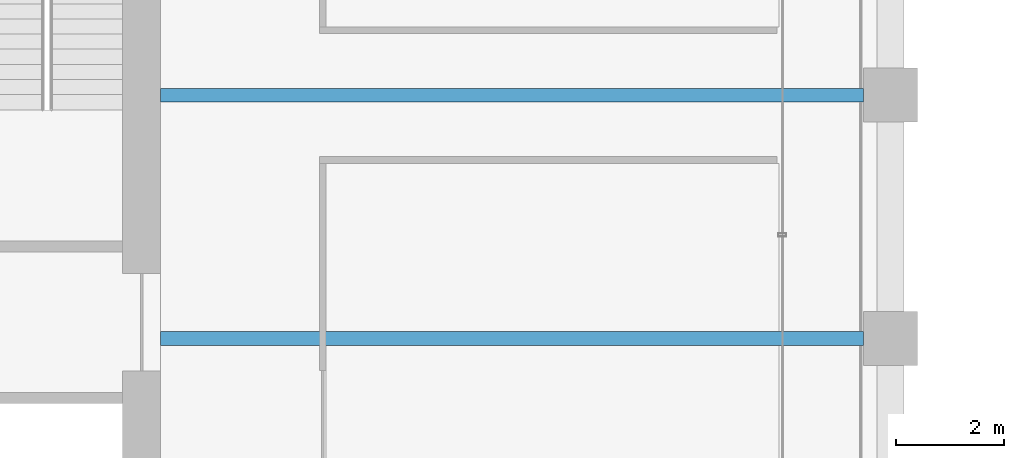
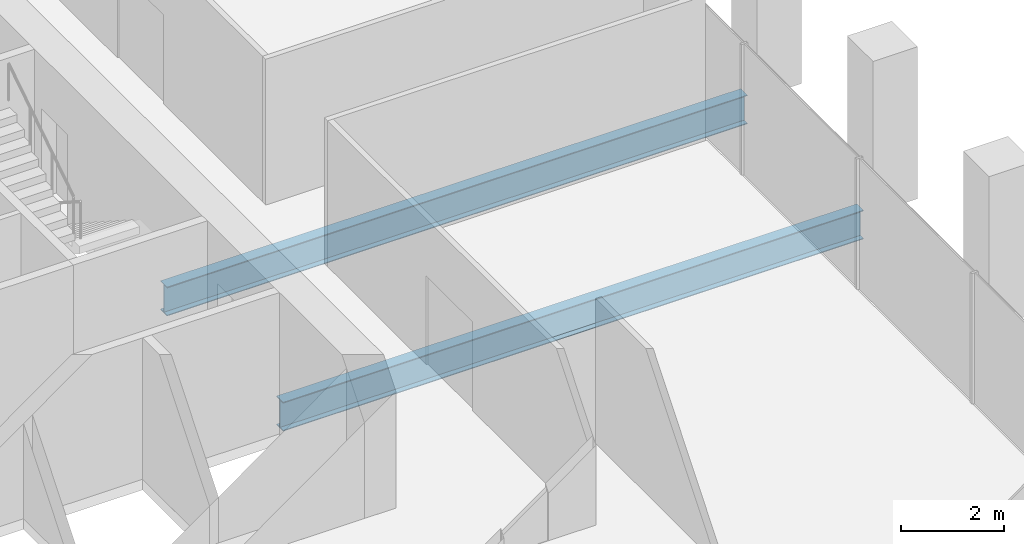
# One storey, part 16 of 46: 2 beams.
"""IFC4 building model written with IfcOpenShell, lengths in metres."""

from ifc_helpers import new_model, si_unit, direction, frame, origin, origin_2d, place, context, subcontext, project, spatial, i_section, extrude, material, material_profile, profile_set, type_object, element, save


model = new_model("IFC4")

# Units and contexts
model_context = context("Model", 3, precision=1e-05, world=origin(), true_north=direction((0.0, 1.0)))
body_context = subcontext(model_context, "Body", "Model", "MODEL_VIEW")
ifc_project = project(units=[si_unit("LENGTHUNIT", "METRE"), si_unit("AREAUNIT", "SQUARE_METRE"), si_unit("VOLUMEUNIT", "CUBIC_METRE"), si_unit("PLANEANGLEUNIT", "RADIAN"), si_unit("MASSUNIT", "GRAM", prefix="KILO")], contexts=[model_context])

# Site, building, storey
site_placement = place(None, origin())
site = spatial("IfcSite", under=ifc_project, at=site_placement, CompositionType="ELEMENT")
building_placement = place(site_placement, origin())
building = spatial("IfcBuilding", under=site, at=building_placement, Name="Altepetl Exchange Towers", CompositionType="ELEMENT")
storey_placement = place(building_placement, frame((0.0, 0.0, 120.800048828125)))
storey = spatial("IfcBuildingStorey", under=building, at=storey_placement, Name="L29", CompositionType="ELEMENT", Elevation=120.800048828125)

# Beams
ifc_material = material(Name="Steel S355", Category="steel")
ifc_material_profile = material_profile(ifc_material, i_section(OverallWidth=0.25390625, OverallDepth=0.68408203125, WebThickness=0.012451171875, FlangeThickness=0.018798828125, at=origin_2d()), Name="W27X94")
ifc_profile_set = profile_set([ifc_material_profile], Name="Steel S355")
beam_type = type_object("IfcBeamType", Name="Floor beam W27X94", PredefinedType="BEAM", material=ifc_profile_set)
for number, where, z_axis, x_axis, name in (
    (1, (58.5, 45.0, -0.491943359375), (1.0, 0.0, 0.0), (0.0, 1.0, 0.0), "bm:A:L29:009"),
    (2, (58.5, 49.5, -0.491943359375), (1.0, 0.0, 0.0), (0.0, 1.0, 0.0), "bm:A:L29:010"),
):
    element("IfcBeam", number, at=place(storey_placement, frame(where, z_axis=z_axis, x_axis=x_axis)), inside=storey, type_object=beam_type, Name=name, PredefinedType="BEAM", context=body_context, shape_type="SweptSolid", body=[
        extrude(i_section(OverallWidth=0.25390625, OverallDepth=0.68408203125, WebThickness=0.012451171875, FlangeThickness=0.018798828125, at=origin_2d()), origin(), (0.0, 0.0, 1.0), 13.0),
    ])

save(model, "model.ifc")
